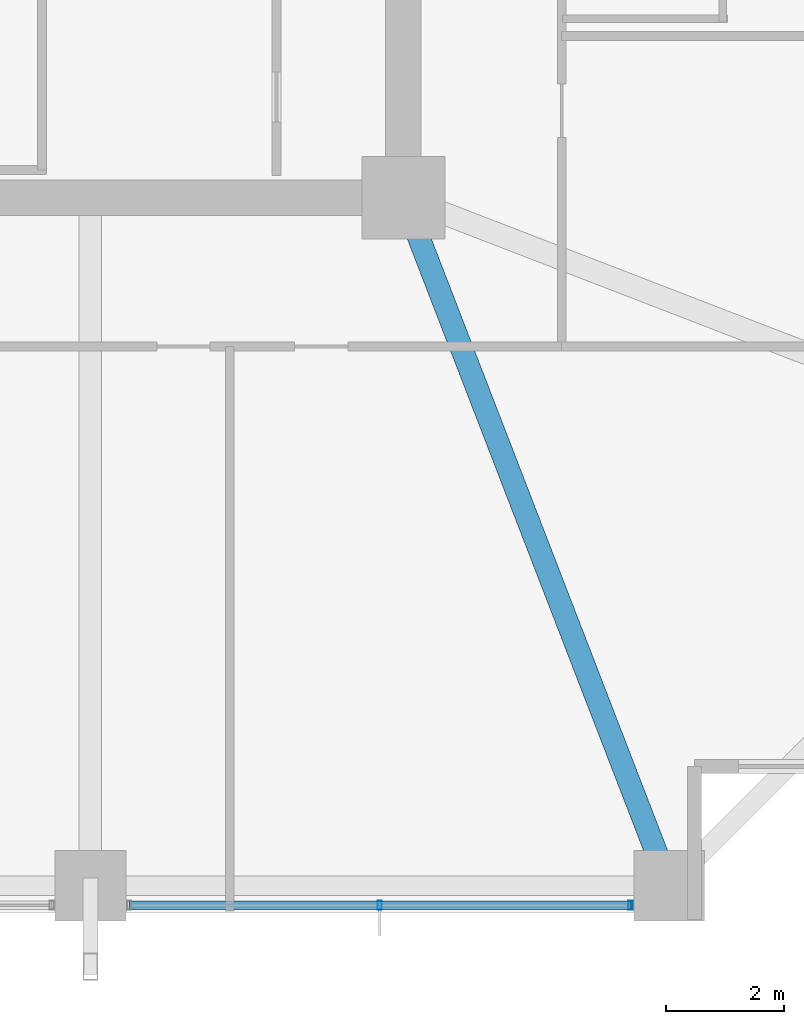
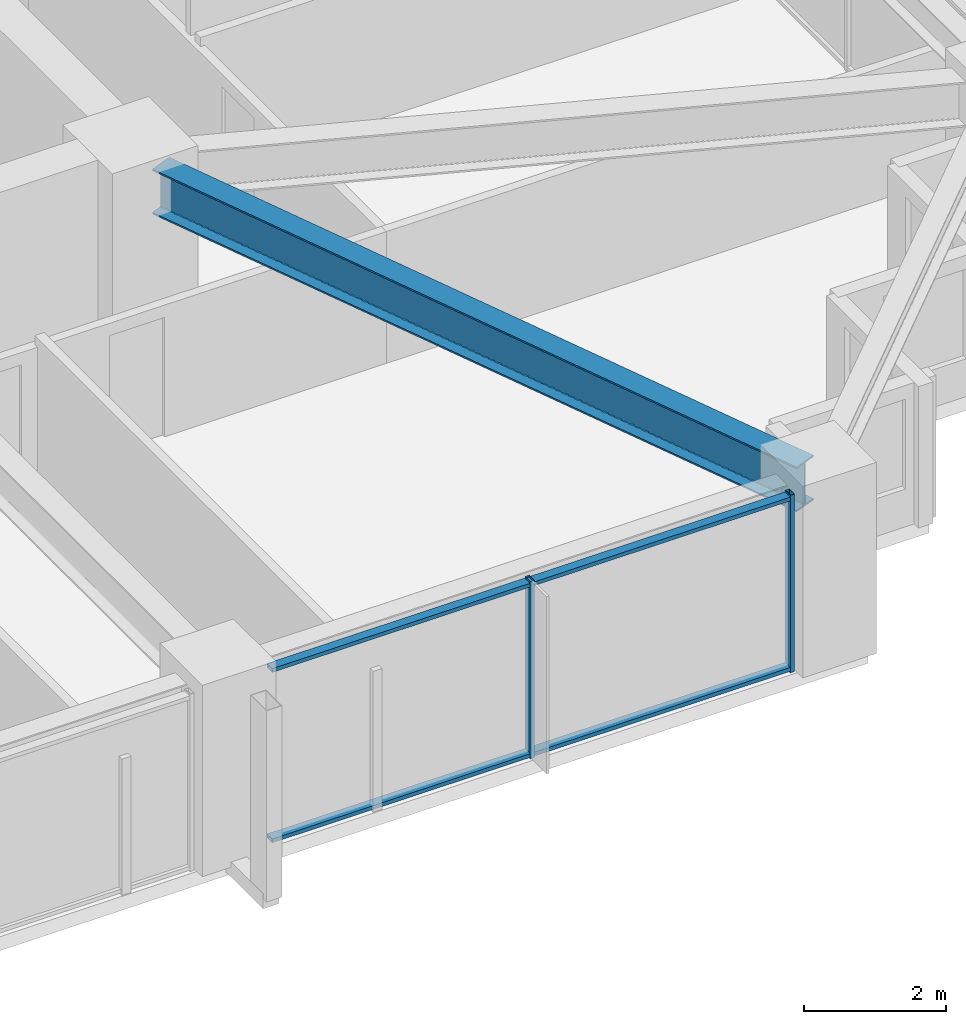
# One storey, part 12 of 38: 4 members, 1 beam, 1 element without a shape of its own.
"""IFC4 building model written with IfcOpenShell, lengths in metres."""

from ifc_helpers import new_model, si_unit, direction, frame, origin, origin_2d, place, context, subcontext, project, spatial, hollow_rectangle, i_section, extrude, material, material_profile, profile_set, type_object, element, aggregate, save


model = new_model("IFC4")

# Units and contexts
model_context = context("Model", 3, precision=1e-05, world=origin(), true_north=direction((0.0, 1.0)))
body_context = subcontext(model_context, "Body", "Model", "MODEL_VIEW")
ifc_project = project(units=[si_unit("LENGTHUNIT", "METRE"), si_unit("AREAUNIT", "SQUARE_METRE"), si_unit("VOLUMEUNIT", "CUBIC_METRE"), si_unit("PLANEANGLEUNIT", "RADIAN"), si_unit("MASSUNIT", "GRAM", prefix="KILO")], contexts=[model_context])

# Site, building, storey
site_placement = place(None, origin())
site = spatial("IfcSite", under=ifc_project, at=site_placement, CompositionType="ELEMENT")
building_placement = place(site_placement, origin())
building = spatial("IfcBuilding", under=site, at=building_placement, Name="Kolvaren Belvedere", CompositionType="ELEMENT")
storey_placement = place(building_placement, frame((0.0, 0.0, 53.5)))
storey = spatial("IfcBuildingStorey", under=building, at=storey_placement, Name="L15", CompositionType="ELEMENT", Elevation=53.5)

# Beam
ifc_material_1 = material(Name="Structural steel ASTM A992 Grade 50", Category="steel")
ifc_material_profile_1 = material_profile(ifc_material_1, i_section(OverallWidth=0.381103515625, OverallDepth=0.77294921875, WebThickness=0.0166015625, FlangeThickness=0.027099609375, FilletRadius=0.02392578125, at=origin_2d()), Name="W30X173")
ifc_profile_set_1 = profile_set([ifc_material_profile_1], Name="Structural steel ASTM A992 Grade 50")
beam_type = type_object("IfcBeamType", Name="BM-GIRD-W30X173", PredefinedType="BEAM", material=ifc_profile_set_1)
beam_placement = place(storey_placement, frame((10.09814453125, -10.4130859375, 2.673583984375), z_axis=(0.360318391835, -0.932829382313, 0.0), x_axis=(0.932829382313, 0.360318391835, 0.0)))
element("IfcBeam", 1, at=beam_placement, inside=storey, type_object=beam_type, Name="L15 Corner Core-to-Perimeter Girder CC2-S4", PredefinedType="BEAM", context=body_context, shape_type="SweptSolid", body=[
    extrude(i_section(OverallWidth=0.381103515625, OverallDepth=0.77294921875, WebThickness=0.0166015625, FlangeThickness=0.027099609375, FilletRadius=0.02392578125, at=origin_2d()), origin(), (0.0, 0.0, 1.0), 11.698974609375),
])

# Curtain wall, members
ifc_material_2 = material(Name="Anodised pale-metal aluminium AA 6063-T6", Category="aluminium")
curtain_wall_type = type_object("IfcCurtainWallType", Name="CW-Z1-LOW", PredefinedType="NOTDEFINED", material=ifc_material_2)
curtain_wall_placement = place(storey_placement, origin())
curtain_wall = element("IfcCurtainWall", 2, at=curtain_wall_placement, inside=storey, type_object=curtain_wall_type, Name="L15 Unitised Curtain Wall FCW-L15-S-B1", PredefinedType="NOTDEFINED")
ifc_material_3 = material(Name="Anodised pale-metal aluminium AA 6063-T6", Category="aluminium")
ifc_material_profile_2 = material_profile(ifc_material_3, hollow_rectangle(XDim=0.070068359375, YDim=0.14990234375, WallThickness=0.004150390625, at=origin_2d()), Name="ALU-MUL-150X70")
ifc_profile_set_2 = profile_set([ifc_material_profile_2], Name="Anodised pale-metal aluminium AA 6063-T6")
member_type_1 = type_object("IfcMemberType", Name="CW-MUL-150", PredefinedType="MULLION", material=ifc_profile_set_2)
member_1_placement = place(storey_placement, frame((13.7451171875, -21.8798828125, 0.0), z_axis=(0.0, 0.0, 1.0), x_axis=(1.0, 0.0, 0.0)))
member_1 = element("IfcMember", 3, at=member_1_placement, type_object=member_type_1, Name="FCW-L15-S-B1 Unitised Mullion 1", PredefinedType="MULLION", context=body_context, shape_type="SweptSolid", body=[
    extrude(hollow_rectangle(XDim=0.070068359375, YDim=0.14990234375, WallThickness=0.004150390625, at=origin_2d()), origin(), (0.0, 0.0, 1.0), 3.06005859375),
])
member_2_placement = place(storey_placement, frame((9.5, -21.8798828125, 0.0), z_axis=(0.0, 0.0, 1.0), x_axis=(1.0, 0.0, 0.0)))
member_2 = element("IfcMember", 4, at=member_2_placement, type_object=member_type_1, Name="FCW-L15-S-B1 Unitised Mullion 2", PredefinedType="MULLION", context=body_context, shape_type="SweptSolid", body=[
    extrude(hollow_rectangle(XDim=0.070068359375, YDim=0.14990234375, WallThickness=0.004150390625, at=origin_2d()), origin(), (0.0, 0.0, 1.0), 3.06005859375),
])
ifc_material_4 = material(Name="Anodised pale-metal aluminium AA 6063-T6", Category="aluminium")
ifc_material_profile_3 = material_profile(ifc_material_4, hollow_rectangle(XDim=0.06494140625, YDim=0.14990234375, WallThickness=0.00390625, at=origin_2d()), Name="ALU-TRN-150X65")
ifc_profile_set_3 = profile_set([ifc_material_profile_3], Name="Anodised pale-metal aluminium AA 6063-T6")
member_type_2 = type_object("IfcMemberType", Name="CW-TRN-150", PredefinedType="USERDEFINED", material=ifc_profile_set_3)
member_3_placement = place(storey_placement, frame((13.7451171875, -21.8798828125, 0.06005859375), z_axis=(-1.0, 0.0, 0.0), x_axis=(0.0, 0.0, 1.0)))
member_3 = element("IfcMember", 5, at=member_3_placement, type_object=member_type_2, Name="FCW-L15-S-B1 Sill Transom", ObjectType="TRANSOM", PredefinedType="USERDEFINED", context=body_context, shape_type="SweptSolid", body=[
    extrude(hollow_rectangle(XDim=0.06494140625, YDim=0.14990234375, WallThickness=0.00390625, at=origin_2d()), origin(), (0.0, 0.0, 1.0), 8.490234375),
])
member_4_placement = place(storey_placement, frame((13.7451171875, -21.8798828125, 3.0), z_axis=(-1.0, 0.0, 0.0), x_axis=(0.0, 0.0, 1.0)))
member_4 = element("IfcMember", 6, at=member_4_placement, type_object=member_type_2, Name="FCW-L15-S-B1 Head Transom", ObjectType="TRANSOM", PredefinedType="USERDEFINED", context=body_context, shape_type="SweptSolid", body=[
    extrude(hollow_rectangle(XDim=0.06494140625, YDim=0.14990234375, WallThickness=0.00390625, at=origin_2d()), origin(), (0.0, 0.0, 1.0), 8.490234375),
])
aggregate(curtain_wall, [member_1, member_2, member_3, member_4])

save(model, "model.ifc")
